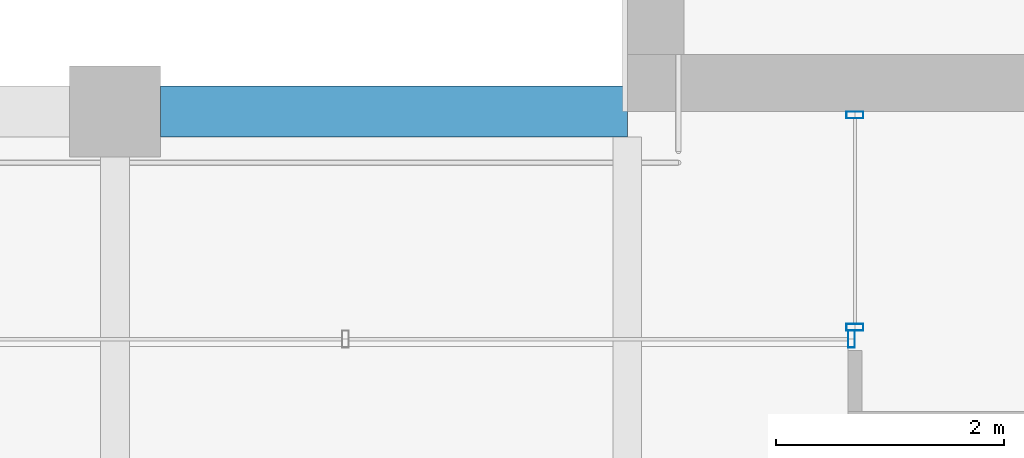
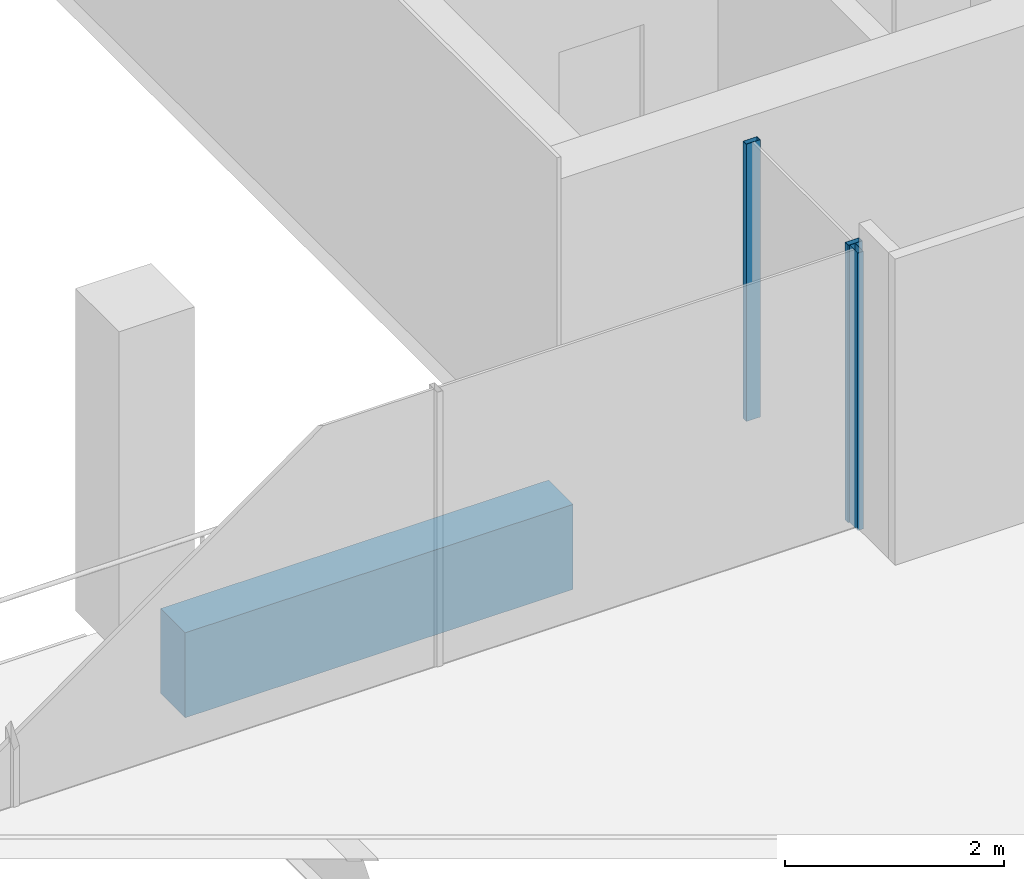
# One storey, part 6 of 30: 3 members, 1 beam, 2 elements without a shape of their own.
"""IFC4 building model written with IfcOpenShell, lengths in metres."""

from ifc_helpers import new_model, si_unit, direction, frame, origin, origin_2d, place, context, subcontext, project, spatial, rectangle, hollow_rectangle, extrude, material, material_profile, profile_set, type_object, element, aggregate, save


model = new_model("IFC4")

# Units and contexts
model_context = context("Model", 3, precision=1e-05, world=origin(), true_north=direction((0.0, 1.0)))
body_context = subcontext(model_context, "Body", "Model", "MODEL_VIEW")
ifc_project = project(units=[si_unit("LENGTHUNIT", "METRE"), si_unit("AREAUNIT", "SQUARE_METRE"), si_unit("VOLUMEUNIT", "CUBIC_METRE"), si_unit("PLANEANGLEUNIT", "RADIAN"), si_unit("MASSUNIT", "GRAM", prefix="KILO")], contexts=[model_context])

# Site, building, storey
site_placement = place(None, origin())
site = spatial("IfcSite", under=ifc_project, at=site_placement, CompositionType="ELEMENT")
building_placement = place(site_placement, origin())
building = spatial("IfcBuilding", under=site, at=building_placement, Name="Altepetl Exchange Towers", CompositionType="ELEMENT")
storey_placement = place(building_placement, frame((0.0, 0.0, 213.60009765625)))
storey = spatial("IfcBuildingStorey", under=building, at=storey_placement, Name="L54", CompositionType="ELEMENT", Elevation=213.60009765625)

# Curtain wall, members
ifc_material_1 = material(Name="Aluminium 6063-T6 glazing", Category="aluminium")
curtain_wall_type = type_object("IfcCurtainWallType", Name="Loggia glazing system", PredefinedType="NOTDEFINED", material=ifc_material_1)
curtain_wall_1_placement = place(storey_placement, origin())
curtain_wall_1 = element("IfcCurtainWall", 1, at=curtain_wall_1_placement, inside=storey, type_object=curtain_wall_type, Name="CW1 run", PredefinedType="NOTDEFINED")
ifc_material_2 = material(Name="Aluminium 6063-T6", Category="aluminium")
ifc_material_profile_1 = material_profile(ifc_material_2, hollow_rectangle(XDim=0.06005859375, YDim=0.14990234375, WallThickness=0.0029296875, at=origin_2d()), Name="Mullion 60x150 aluminium")
ifc_profile_set_1 = profile_set([ifc_material_profile_1], Name="Aluminium 6063-T6")
member_type = type_object("IfcMemberType", Name="Mullion 60x150 aluminium", PredefinedType="MULLION", material=ifc_profile_set_1)
member_1_placement = place(storey_placement, frame((42.5, 40.469970703125, 0.0), z_axis=(0.0, 0.0, 1.0), x_axis=(0.0, -1.0, 0.0)))
member_1 = element("IfcMember", 2, at=member_1_placement, type_object=member_type, Name="MU1 mullion", PredefinedType="MULLION", context=body_context, shape_type="SweptSolid", body=[
    extrude(hollow_rectangle(XDim=0.06005859375, YDim=0.14990234375, WallThickness=0.0029296875, at=origin_2d()), origin(), (0.0, 0.0, 1.0), 3.099853515625),
])
member_2_placement = place(storey_placement, frame((42.5, 38.60498046875, 0.0), z_axis=(0.0, 0.0, 1.0), x_axis=(0.0, -1.0, 0.0)))
member_2 = element("IfcMember", 3, at=member_2_placement, type_object=member_type, Name="MU1 mullion", PredefinedType="MULLION", context=body_context, shape_type="SweptSolid", body=[
    extrude(hollow_rectangle(XDim=0.06005859375, YDim=0.14990234375, WallThickness=0.0029296875, at=origin_2d()), origin(), (0.0, 0.0, 1.0), 3.099853515625),
])
aggregate(curtain_wall_1, [member_1, member_2])

# Curtain wall, member
curtain_wall_2_placement = place(storey_placement, origin())
curtain_wall_2 = element("IfcCurtainWall", 4, at=curtain_wall_2_placement, inside=storey, type_object=curtain_wall_type, Name="CW1 run", PredefinedType="NOTDEFINED")
member_3_placement = place(storey_placement, frame((42.469970703125, 38.5, 0.0), z_axis=(0.0, 0.0, 1.0), x_axis=(-1.0, 0.0, 0.0)))
member_3 = element("IfcMember", 5, at=member_3_placement, type_object=member_type, Name="MU1 mullion", PredefinedType="MULLION", context=body_context, shape_type="SweptSolid", body=[
    extrude(hollow_rectangle(XDim=0.06005859375, YDim=0.14990234375, WallThickness=0.0029296875, at=origin_2d()), origin(), (0.0, 0.0, 1.0), 3.099853515625),
])
aggregate(curtain_wall_2, [member_3])

# Beam
ifc_material_3 = material(Name="Concrete C50/60 precast with tezontle facing", Category="concrete")
ifc_material_profile_2 = material_profile(ifc_material_3, rectangle(XDim=0.449951171875, YDim=0.949951171875, at=origin_2d()), Name="450 x 950")
ifc_profile_set_2 = profile_set([ifc_material_profile_2], Name="Concrete C50/60 precast with tezontle facing")
beam_type = type_object("IfcBeamType", Name="Spandrel beam 450x950 tezontle", PredefinedType="SPANDREL", material=ifc_profile_set_2)
beam_placement = place(storey_placement, frame((40.5, 40.5, -0.625), z_axis=(-1.0, 0.0, 0.0), x_axis=(0.0, -1.0, 0.0)))
element("IfcBeam", 6, at=beam_placement, inside=storey, type_object=beam_type, Name="sp:A:L54:033", PredefinedType="SPANDREL", context=body_context, shape_type="SweptSolid", body=[
    extrude(rectangle(XDim=0.449951171875, YDim=0.949951171875, at=origin_2d()), origin(), (0.0, 0.0, 1.0), 4.10009765625),
])

save(model, "model.ifc")
